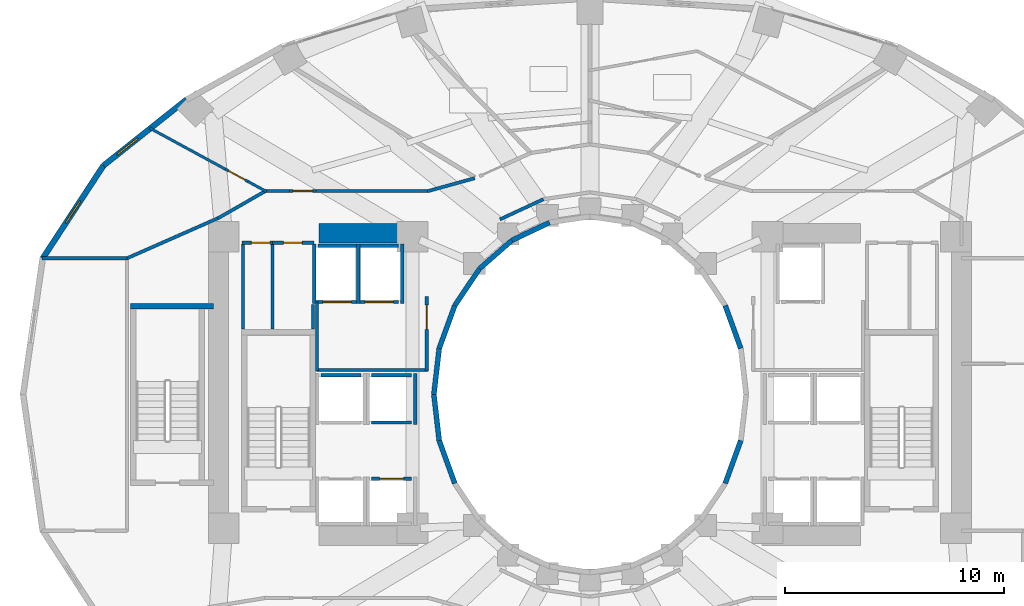
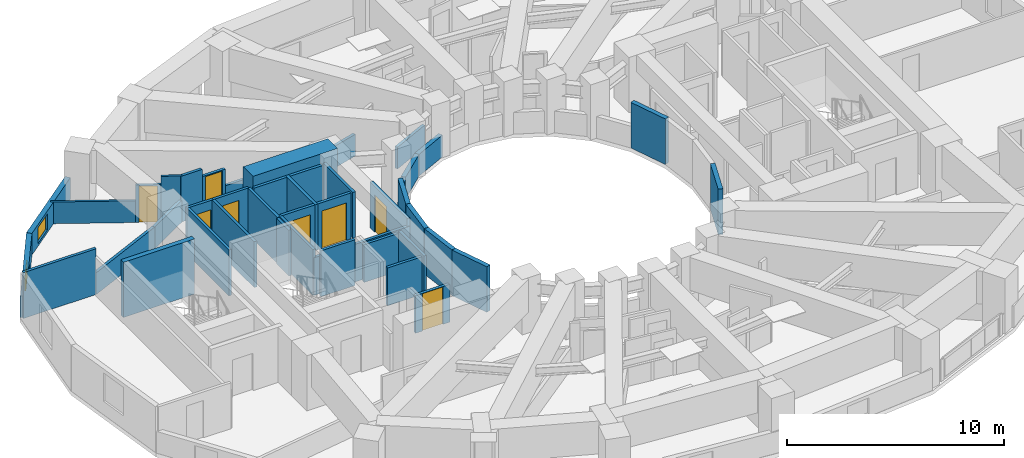
# One storey, part 10 of 16: 44 walls, 8 doors, 2 windows, 10 openings.
"""IFC4 building model written with IfcOpenShell, lengths in metres."""

import ifcopenshell
import ifcopenshell.guid

model = None  # the IFC model being written
_history = None  # IfcOwnerHistory: only IFC2X3 demands one
_inside = {}  # id of a spatial element -> (the spatial element, [elements in it])
_under = {}  # id of a project, library or spatial element -> (it, [spatial elements below it])
_declared = {}  # id of a project -> (the project, [libraries it declares])
_typed = {}  # id of a type object -> (the type object, [elements of that type])
_made_of = {}  # id of a material, layer set ... -> (it, [elements and type objects made of it])


def new_model(schema):
    """Start an empty IFC model of exactly this schema.

    Asked for "IFC4X3", IfcOpenShell would pick the latest addendum, in which some entities
    have other attributes; the version numbers below select the first issue.
    IFC2X3 requires an IfcOwnerHistory on every rooted entity: one is made here for all.
    """
    global model, _history
    if schema == "IFC4X3":
        model = ifcopenshell.file(schema_version=(4, 3, 0, 0))
    else:
        model = ifcopenshell.file(schema=schema)
    _inside.clear()
    _under.clear()
    _declared.clear()
    _typed.clear()
    _made_of.clear()
    _history = None
    if model.schema == "IFC2X3":
        org = make("IfcOrganization", Name="unknown")
        user = make(
            "IfcPersonAndOrganization",
            ThePerson=make("IfcPerson", FamilyName="unknown"),
            TheOrganization=org,
        )
        app = make(
            "IfcApplication",
            ApplicationDeveloper=org,
            Version="unknown",
            ApplicationFullName="unknown",
            ApplicationIdentifier="unknown",
        )
        _history = make(
            "IfcOwnerHistory",
            OwningUser=user,
            OwningApplication=app,
            ChangeAction="ADDED",
            CreationDate=0,
        )
    return model


def make(cls, **values):
    """One entity of the class cls with the attributes given. An attribute that is None is left unset."""
    return model.create_entity(
        cls, **{name: value for name, value in values.items() if value is not None}
    )


def rooted(cls, **values):
    """An entity with a GlobalId (a new one), such as an element, a storey or a relation."""
    return make(cls, GlobalId=ifcopenshell.guid.new(), OwnerHistory=_history, **values)


def si_unit(unit_type, name, prefix=None):
    """IfcSIUnit, for example si_unit("LENGTHUNIT", "METRE", prefix="MILLI")."""
    return make("IfcSIUnit", UnitType=unit_type, Prefix=prefix, Name=name)


def assignment(units):
    """IfcUnitAssignment: the units of a project."""
    return None if units is None else make("IfcUnitAssignment", Units=units)


def point(xyz):
    """IfcCartesianPoint."""
    return None if xyz is None else make("IfcCartesianPoint", Coordinates=xyz)


def direction(xyz):
    """IfcDirection."""
    return None if xyz is None else make("IfcDirection", DirectionRatios=xyz)


def frame(location, z_axis=None, x_axis=None):
    """IfcAxis2Placement3D, a coordinate frame: its origin and axes. An axis left out is left unset."""
    return make(
        "IfcAxis2Placement3D",
        Location=point(location),
        Axis=direction(z_axis),
        RefDirection=direction(x_axis),
    )


def frame_2d(location, x_axis=None):
    """IfcAxis2Placement2D, a coordinate frame in the plane: its origin and x axis."""
    return make(
        "IfcAxis2Placement2D", Location=point(location), RefDirection=direction(x_axis)
    )


def origin():
    """The frame at (0, 0, 0) with its axes left unset."""
    return frame((0.0, 0.0, 0.0))


def place(relative_to, where):
    """IfcLocalPlacement: puts the frame where relative to a parent placement (None: the world)."""
    return make(
        "IfcLocalPlacement", PlacementRelTo=relative_to, RelativePlacement=where
    )


def context(
    kind, dimensions, precision=None, world=None, true_north=None, identifier=None
):
    """IfcGeometricRepresentationContext, for example the 3D "Model" context."""
    return make(
        "IfcGeometricRepresentationContext",
        ContextIdentifier=identifier,
        ContextType=kind,
        CoordinateSpaceDimension=dimensions,
        Precision=precision,
        WorldCoordinateSystem=world,
        TrueNorth=true_north,
    )


def subcontext(parent, identifier, kind, view, scale=None):
    """IfcGeometricRepresentationSubContext, for example "Body" below "Model"."""
    return make(
        "IfcGeometricRepresentationSubContext",
        ContextIdentifier=identifier,
        ContextType=kind,
        ParentContext=parent,
        TargetScale=scale,
        TargetView=view,
    )


def project(units=None, contexts=None):
    """IfcProject with its units and contexts."""
    return rooted(
        "IfcProject",
        Name="project",
        RepresentationContexts=contexts,
        UnitsInContext=assignment(units),
    )


def spatial(cls, under=None, at=None, **own):
    """A site, building, storey or space (cls), placed at a placement, below another one or the project."""
    s = rooted(cls, ObjectPlacement=at, **own)
    if under is not None:
        _under.setdefault(under.id(), (under, []))[1].append(s)
    return s


def profile(cls, at=None, kind="AREA", **sizes):
    """A parametric profile (cls). Its sizes go by their IFC names, for example OverallWidth=200.0."""
    return make(cls, ProfileType=kind, Position=at, **sizes)


def rectangle(**sizes):
    """IfcRectangleProfileDef."""
    return profile("IfcRectangleProfileDef", **sizes)


def extrude(swept, where, along, depth):
    """IfcExtrudedAreaSolid: the profile swept, set in the frame where, extruded along a direction by depth."""
    return make(
        "IfcExtrudedAreaSolid",
        SweptArea=swept,
        Position=where,
        ExtrudedDirection=direction(along),
        Depth=depth,
    )


def shape(context_of_items, identifier, shape_type, items):
    """IfcShapeRepresentation: the items that make up one representation, for example the "Body"."""
    return make(
        "IfcShapeRepresentation",
        ContextOfItems=context_of_items,
        RepresentationIdentifier=identifier,
        RepresentationType=shape_type,
        Items=items,
    )


def material(Name=None, Category=None):
    """IfcMaterial."""
    return make("IfcMaterial", Name=Name, Category=Category)


def layer(
    of_material, thickness, ventilated=None, Name=None, Category=None, Priority=None
):
    """IfcMaterialLayer: one layer of a wall or slab, of a material (None: an air gap)."""
    return make(
        "IfcMaterialLayer",
        Material=of_material,
        LayerThickness=thickness,
        IsVentilated=ventilated,
        Name=Name,
        Category=Category,
        Priority=Priority,
    )


def layer_set(layers, Name=None):
    """IfcMaterialLayerSet."""
    return make("IfcMaterialLayerSet", MaterialLayers=layers, LayerSetName=Name)


def made_of(thing, what):
    """Note that an element or type object is made of a material, layer set ...; save() writes the relation."""
    if what is not None:
        _made_of.setdefault(what.id(), (what, []))[1].append(thing)
    return thing


def type_object(cls, material=None, **own):
    """A type object (cls), such as IfcWallType, which elements share."""
    return made_of(rooted(cls, **own), material)


def element(
    cls,
    number,
    at=None,
    inside=None,
    cuts=None,
    type_object=None,
    material=None,
    context=None,
    identifier="Body",
    shape_type=None,
    held_by="IfcProductDefinitionShape",
    body=None,
    shapes=None,
    **own,
):
    """One element of the class cls, such as IfcWall. Its Tag is "e" and its number.

    at: its placement. inside: the storey or other place that contains it. cuts: it is an
    opening in that element (IfcRelVoidsElement). A single representation is given by context,
    identifier, shape_type and body (its items); several are given by shapes. held_by: the class
    of the entity that holds the representations. save() writes the other relations.
    """
    e = rooted(cls, Tag="e%d" % number, ObjectPlacement=at, **own)
    if body is not None:
        shapes = [shape(context, identifier, shape_type, body)]
    if shapes is not None:
        e.Representation = make(held_by, Representations=shapes)
    if inside is not None:
        _inside.setdefault(inside.id(), (inside, []))[1].append(e)
    if cuts is not None:
        rooted(
            "IfcRelVoidsElement", RelatingBuildingElement=cuts, RelatedOpeningElement=e
        )
    if type_object is not None:
        _typed.setdefault(type_object.id(), (type_object, []))[1].append(e)
    return made_of(e, material)


def fill(opening, filler):
    """IfcRelFillsElement: the door or window that sits in an opening."""
    return rooted(
        "IfcRelFillsElement",
        RelatingOpeningElement=opening,
        RelatedBuildingElement=filler,
    )


def aggregate(whole, parts):
    """IfcRelAggregates: a whole, such as a stair, and the parts it consists of."""
    return rooted("IfcRelAggregates", RelatingObject=whole, RelatedObjects=parts)


def save(model, path):
    """Write the relations noted so far, then the file.

    IfcRelAggregates (storeys below a building ...), IfcRelContainedInSpatialStructure (elements
    in a storey), IfcRelDefinesByType, IfcRelAssociatesMaterial and IfcRelDeclares: one each for
    every whole, place, type object, material and project.
    """
    for whole, parts in _under.values():
        aggregate(whole, parts)
    for where, things in _inside.values():
        rooted(
            "IfcRelContainedInSpatialStructure",
            RelatedElements=things,
            RelatingStructure=where,
        )
    for kind, things in _typed.values():
        rooted("IfcRelDefinesByType", RelatedObjects=things, RelatingType=kind)
    for what, things in _made_of.values():
        rooted("IfcRelAssociatesMaterial", RelatedObjects=things, RelatingMaterial=what)
    for by, libraries in _declared.values():
        rooted("IfcRelDeclares", RelatingContext=by, RelatedDefinitions=libraries)
    model.write(path)


model = new_model("IFC4")

# Units and contexts
model_context = context("Model", 3, precision=1e-05, world=origin(), true_north=direction((0.0, 1.0)))
body_context = subcontext(model_context, "Body", "Model", "MODEL_VIEW")
ifc_project = project(units=[si_unit("LENGTHUNIT", "METRE"), si_unit("AREAUNIT", "SQUARE_METRE"), si_unit("VOLUMEUNIT", "CUBIC_METRE"), si_unit("PLANEANGLEUNIT", "RADIAN"), si_unit("MASSUNIT", "GRAM", prefix="KILO")], contexts=[model_context])

# Site, building, storey
site_placement = place(None, origin())
site = spatial("IfcSite", under=ifc_project, at=site_placement, CompositionType="ELEMENT")
building_placement = place(site_placement, origin())
building = spatial("IfcBuilding", under=site, at=building_placement, Name="Solvane Sanctuary Tower", CompositionType="ELEMENT")
storey_placement = place(building_placement, frame((0.0, 0.0, 61.699951171875)))
storey = spatial("IfcBuildingStorey", under=building, at=storey_placement, Name="L18", CompositionType="ELEMENT", Elevation=61.699951171875)

# Walls
ifc_material_1 = material(Name="Concrete C70/85", Category="concrete")
ifc_layer_1 = layer(ifc_material_1, 0.89990234375, Name="Concrete C70/85")
ifc_layer_set_1 = layer_set([ifc_layer_1], Name="Concrete C70/85")
wall_type_1 = type_object("IfcWallType", Name="Wall W-CORE-900", PredefinedType="SHEAR", material=ifc_layer_set_1)
wall_1_placement = place(storey_placement, frame((19.64990234375, 30.35009765625, 0.0), z_axis=(0.0, 0.0, 1.0), x_axis=(1.0, 0.0, 0.0)))
element("IfcWall", 1, at=wall_1_placement, inside=storey, type_object=wall_type_1, Name="L18 Core Shear Wall WC-N", PredefinedType="SHEAR", context=body_context, shape_type="SweptSolid", body=[
    extrude(rectangle(XDim=4.5, YDim=0.89990234375, at=frame_2d((2.25, 0.0))), origin(), (0.0, 0.0, 1.0), 3.10009765625),
])
ifc_material_2 = material(Name="Acoustic Gypsum Partition Board")
ifc_layer_2 = layer(ifc_material_2, 0.14990234375, Name="Acoustic Gypsum Partition Board")
ifc_layer_set_2 = layer_set([ifc_layer_2], Name="Acoustic Gypsum Partition Board")
wall_type_2 = type_object("IfcWallType", Name="Wall W-CORR-150", PredefinedType="PARTITIONING", material=ifc_layer_set_2)
wall_2_placement = place(storey_placement, frame((19.52001953125, 24.1201171875, 0.0), z_axis=(0.0, 0.0, 1.0), x_axis=(1.0, 0.0, 0.0)))
element("IfcWall", 2, at=wall_2_placement, inside=storey, type_object=wall_type_2, Name="L18 West Firefighting Lobby South Wall", PredefinedType="PARTITIONING", context=body_context, shape_type="SweptSolid", body=[
    extrude(rectangle(XDim=5.080078125, YDim=0.14990234375, at=frame_2d((2.5400390625, 0.0))), origin(), (0.0, 0.0, 1.0), 2.1201171875),
])
wall_3_placement = place(storey_placement, frame((19.550048828125, 24.080078125, 0.0), z_axis=(0.0, 0.0, 1.0), x_axis=(0.0, 1.0, 0.0)))
element("IfcWall", 3, at=wall_3_placement, inside=storey, type_object=wall_type_2, Name="L18 West Firefighting Lobby West Wall", PredefinedType="PARTITIONING", context=body_context, shape_type="SweptSolid", body=[
    extrude(rectangle(XDim=3.199951171875, YDim=0.14990234375, at=frame_2d((1.60009765625, 0.0))), origin(), (0.0, 0.0, 1.0), 2.574951171875),
])

# Wall, opening, door
wall_4_placement = place(storey_placement, frame((24.550048828125, 24.080078125, 0.0), z_axis=(0.0, 0.0, 1.0), x_axis=(0.0, 1.0, 0.0)))
wall_4 = element("IfcWall", 4, at=wall_4_placement, inside=storey, type_object=wall_type_2, Name="L18 West Firefighting Lobby East Wall", PredefinedType="PARTITIONING", context=body_context, shape_type="SweptSolid", body=[
    extrude(rectangle(XDim=3.39990234375, YDim=0.14990234375, at=frame_2d((1.699951171875, 0.0))), origin(), (0.0, 0.0, 1.0), 2.574951171875),
])
opening_1_placement = place(wall_4_placement, frame((1.893798828125, 0.0, 0.0)))
opening_1 = element("IfcOpeningElement", 5, at=opening_1_placement, cuts=wall_4, Name="Opening D-L18-04", PredefinedType="OPENING", context=body_context, shape_type="SweptSolid", body=[
    extrude(rectangle(XDim=1.10009765625, YDim=2.10009765625, at=frame_2d((0.550048828125, 1.050048828125))), frame((0.0, 0.0849609375, 0.0), z_axis=(0.0, -1.0, 0.0), x_axis=(1.0, 0.0, 0.0)), (0.0, 0.0, 1.0), 0.169921875),
])
ifc_material_3 = material(Name="Architectural Stainless Steel 316", Category="steel")
door_type_1 = type_object("IfcDoorType", Name="Door D-FFL", OperationType="NOTDEFINED", PredefinedType="DOOR", material=ifc_material_3)
door_1_placement = place(opening_1_placement, origin())
door_1 = element("IfcDoor", 6, at=door_1_placement, inside=storey, type_object=door_type_1, Name="L18 West Firefighting Lobby Fire Door", OperationType="SINGLE_SWING_LEFT", OverallHeight=2.10009765625, OverallWidth=1.10009765625, PredefinedType="DOOR", context=body_context, shape_type="SweptSolid", body=[
    extrude(rectangle(XDim=1.10009765625, YDim=2.10009765625, at=frame_2d((0.550048828125, 1.050048828125))), frame((0.0, 0.02490234375, 0.0), z_axis=(0.0, -1.0, 0.0), x_axis=(1.0, 0.0, 0.0)), (0.0, 0.0, 1.0), 0.050048828125),
])
fill(opening_1, door_1)

# Walls
wall_5_placement = place(storey_placement, frame((29.87255859375, 31.90576171875, 0.0), z_axis=(0.0, 0.0, 1.0), x_axis=(-0.906943449489, -0.421252393975, 0.0)))
element("IfcWall", 7, at=wall_5_placement, inside=storey, type_object=wall_type_2, Name="L18 Light-Well Corridor Rim Wall N4", PredefinedType="PARTITIONING", context=body_context, shape_type="SweptSolid", body=[
    extrude(rectangle(XDim=2.18603515625, YDim=0.14990234375, at=frame_2d((1.093017578125, 0.0))), origin(), (0.0, 0.0, 1.0), 1.219970703125),
])
wall_6_placement = place(storey_placement, frame((7.013671875, 29.211669921875, 0.0), z_axis=(0.0, 0.0, 1.0), x_axis=(1.0, 0.0, 0.0)))
element("IfcWall", 8, at=wall_6_placement, inside=storey, type_object=wall_type_2, Name="L18 West Shoulder North Wall", PredefinedType="PARTITIONING", context=body_context, shape_type="SweptSolid", body=[
    extrude(rectangle(XDim=3.8662109375, YDim=0.14990234375, at=frame_2d((1.93310546875, 0.0))), origin(), (0.0, 0.0, 1.0), 2.574951171875),
])
wall_7_placement = place(storey_placement, frame((10.843505859375, 29.195556640625, 0.0), z_axis=(0.0, 0.0, 1.0), x_axis=(0.91502756289, 0.403391322604, 0.0)))
element("IfcWall", 9, at=wall_7_placement, inside=storey, type_object=wall_type_2, Name="L18 NW Corner Closer 1", PredefinedType="PARTITIONING", context=body_context, shape_type="SweptSolid", body=[
    extrude(rectangle(XDim=4.63720703125, YDim=0.14990234375, at=frame_2d((2.318603515625, 0.0))), origin(), (0.0, 0.0, 1.0), 1.219970703125),
])
wall_8_placement = place(storey_placement, frame((26.741943359375, 32.86669921875, 0.0), z_axis=(0.0, 0.0, 1.0), x_axis=(-0.963833843713, -0.266503886865, 0.0)))
element("IfcWall", 10, at=wall_8_placement, inside=storey, type_object=wall_type_2, Name="L18 NW Corner Throat Wall", PredefinedType="PARTITIONING", context=body_context, shape_type="SweptSolid", body=[
    extrude(rectangle(XDim=2.231689453125, YDim=0.14990234375, at=frame_2d((1.11572265625, 0.0))), origin(), (0.0, 0.0, 1.0), 1.219970703125),
])
wall_9_placement = place(storey_placement, frame((17.14990234375, 32.280029296875, 0.0), z_axis=(0.0, 0.0, 1.0), x_axis=(1.0, 0.0, 0.0)))
element("IfcWall", 11, at=wall_9_placement, inside=storey, type_object=wall_type_2, Name="L18 NW Corner Corridor Wall", PredefinedType="PARTITIONING", context=body_context, shape_type="SweptSolid", body=[
    extrude(rectangle(XDim=1.14013671875, YDim=0.14990234375, at=frame_2d((0.570068359375, 0.0))), origin(), (0.0, 0.0, 1.0), 2.574951171875),
])

# Wall, opening, door
wall_10_placement = place(storey_placement, frame((18.2900390625, 32.280029296875, 0.0), z_axis=(0.0, 0.0, 1.0), x_axis=(1.0, 0.0, 0.0)))
wall_10 = element("IfcWall", 12, at=wall_10_placement, inside=storey, type_object=wall_type_2, Name="L18 NW Corner Corridor Wall", PredefinedType="PARTITIONING", context=body_context, shape_type="SweptSolid", body=[
    extrude(rectangle(XDim=1.219970703125, YDim=0.14990234375, at=frame_2d((0.60986328125, 0.0))), origin(), (0.0, 0.0, 1.0), 2.16015625),
])
opening_2_placement = place(wall_10_placement, frame((0.159912109375, 0.0, 0.0)))
opening_2 = element("IfcOpeningElement", 13, at=opening_2_placement, cuts=wall_10, Name="Opening D-L18-16", PredefinedType="OPENING", context=body_context, shape_type="SweptSolid", body=[
    extrude(rectangle(XDim=0.89990234375, YDim=2.10009765625, at=frame_2d((0.449951171875, 1.050048828125))), frame((0.0, 0.0849609375, 0.0), z_axis=(0.0, -1.0, 0.0), x_axis=(1.0, 0.0, 0.0)), (0.0, 0.0, 1.0), 0.169921875),
])
ifc_material_4 = material(Name="Engineered Tropical Hardwood", Category="wood")
door_type_2 = type_object("IfcDoorType", Name="Door D-WET-900", OperationType="NOTDEFINED", PredefinedType="DOOR", material=ifc_material_4)
door_2_placement = place(opening_2_placement, origin())
door_2 = element("IfcDoor", 14, at=door_2_placement, inside=storey, type_object=door_type_2, Name="L18 NW Corner Salon Door", OperationType="SINGLE_SWING_LEFT", OverallHeight=2.10009765625, OverallWidth=0.89990234375, PredefinedType="DOOR", context=body_context, shape_type="SweptSolid", body=[
    extrude(rectangle(XDim=0.89990234375, YDim=2.10009765625, at=frame_2d((0.449951171875, 1.050048828125))), frame((0.0, 0.02490234375, 0.0), z_axis=(0.0, -1.0, 0.0), x_axis=(1.0, 0.0, 0.0)), (0.0, 0.0, 1.0), 0.050048828125),
])
fill(opening_2, door_2)

# Walls
wall_11_placement = place(storey_placement, frame((19.510009765625, 32.280029296875, 0.0), z_axis=(0.0, 0.0, 1.0), x_axis=(1.0, 0.0, 0.0)))
element("IfcWall", 15, at=wall_11_placement, inside=storey, type_object=wall_type_2, Name="L18 NW Corner Corridor Wall", PredefinedType="PARTITIONING", context=body_context, shape_type="SweptSolid", body=[
    extrude(rectangle(XDim=5.159912109375, YDim=0.14990234375, at=frame_2d((2.580078125, 0.0))), origin(), (0.0, 0.0, 1.0), 1.219970703125),
])
wall_12_placement = place(storey_placement, frame((17.243408203125, 32.3046875, 0.0), z_axis=(0.0, 0.0, 1.0), x_axis=(-0.867991349648, -0.496579315857, 0.0)))
element("IfcWall", 16, at=wall_12_placement, inside=storey, type_object=wall_type_2, Name="L18 NW Corner Wing Wall", PredefinedType="PARTITIONING", context=body_context, shape_type="SweptSolid", body=[
    extrude(rectangle(XDim=2.56689453125, YDim=0.14990234375, at=frame_2d((1.283447265625, 0.0))), origin(), (0.0, 0.0, 1.0), 1.219970703125),
])

# Wall, opening, window
ifc_material_5 = material(Name="Precast concrete C40/50", Category="concrete")
ifc_layer_3 = layer(ifc_material_5, 0.260009765625, Name="Precast concrete C40/50")
ifc_layer_set_3 = layer_set([ifc_layer_3], Name="Precast concrete C40/50")
wall_type_3 = type_object("IfcWallType", Name="Wall W-EXT-250", PredefinedType="STANDARD", material=ifc_layer_set_3)
wall_13_placement = place(storey_placement, frame((13.595458984375, 36.449951171875, 0.0), z_axis=(0.0, 0.0, 1.0), x_axis=(-0.783123133379, -0.621866672179, 0.0)))
wall_13 = element("IfcWall", 17, at=wall_13_placement, inside=storey, type_object=wall_type_3, Name="L18 Ceramic-Printed Facade Wall 09", PredefinedType="STANDARD", context=body_context, shape_type="SweptSolid", body=[
    extrude(rectangle(XDim=4.838623046875, YDim=0.260009765625, at=frame_2d((2.41943359375, 0.0))), origin(), (0.0, 0.0, 1.0), 1.219970703125),
])
opening_3_placement = place(wall_13_placement, frame((2.84912109375, 0.0, 0.14990234375)))
opening_3 = element("IfcOpeningElement", 18, at=opening_3_placement, cuts=wall_13, Name="Opening WN-OPER-1200", PredefinedType="OPENING", context=body_context, shape_type="SweptSolid", body=[
    extrude(rectangle(XDim=1.199951171875, YDim=0.89990234375, at=frame_2d((0.60009765625, 0.449951171875))), frame((0.0, 0.139892578125, 0.0), z_axis=(0.0, -1.0, 0.0), x_axis=(1.0, 0.0, 0.0)), (0.0, 0.0, 1.0), 0.280029296875),
])
ifc_material_6 = material(Name="Dark Ceramic-Fritted Low-E Glass", Category="glass")
window_type = type_object("IfcWindowType", Name="Window WN-OPER-1200", PartitioningType="SINGLE_PANEL", PredefinedType="WINDOW", material=ifc_material_6)
window_1_placement = place(opening_3_placement, origin())
window_1 = element("IfcWindow", 19, at=window_1_placement, inside=storey, type_object=window_type, Name="L18 Operable Facade Window 09", OverallHeight=0.89990234375, OverallWidth=1.199951171875, PartitioningType="SINGLE_PANEL", PredefinedType="WINDOW", context=body_context, shape_type="SweptSolid", body=[
    extrude(rectangle(XDim=1.199951171875, YDim=0.89990234375, at=frame_2d((0.60009765625, 0.449951171875))), frame((0.0, 0.030029296875, 0.0), z_axis=(0.0, -1.0, 0.0), x_axis=(1.0, 0.0, 0.0)), (0.0, 0.0, 1.0), 0.06005859375),
])
fill(opening_3, window_1)

wall_14_placement = place(storey_placement, frame((9.80615234375, 33.44091796875, 0.0), z_axis=(0.0, 0.0, 1.0), x_axis=(-0.547702757047, -0.836672988642, 0.0)))
wall_14 = element("IfcWall", 20, at=wall_14_placement, inside=storey, type_object=wall_type_3, Name="L18 Ceramic-Printed Facade Wall 10", PredefinedType="STANDARD", context=body_context, shape_type="SweptSolid", body=[
    extrude(rectangle(XDim=5.0625, YDim=0.260009765625, at=frame_2d((2.53125, 0.0))), origin(), (0.0, 0.0, 1.0), 1.219970703125),
])
opening_4_placement = place(wall_14_placement, frame((1.931396484375, 0.0, 0.14990234375)))
opening_4 = element("IfcOpeningElement", 21, at=opening_4_placement, cuts=wall_14, Name="Opening WN-OPER-1200", PredefinedType="OPENING", context=body_context, shape_type="SweptSolid", body=[
    extrude(rectangle(XDim=1.199951171875, YDim=0.89990234375, at=frame_2d((0.60009765625, 0.449951171875))), frame((0.0, 0.139892578125, 0.0), z_axis=(0.0, -1.0, 0.0), x_axis=(1.0, 0.0, 0.0)), (0.0, 0.0, 1.0), 0.280029296875),
])
window_2_placement = place(opening_4_placement, origin())
window_2 = element("IfcWindow", 22, at=window_2_placement, inside=storey, type_object=window_type, Name="L18 Operable Facade Window 10", OverallHeight=0.89990234375, OverallWidth=1.199951171875, PartitioningType="SINGLE_PANEL", PredefinedType="WINDOW", context=body_context, shape_type="SweptSolid", body=[
    extrude(rectangle(XDim=1.199951171875, YDim=0.89990234375, at=frame_2d((0.60009765625, 0.449951171875))), frame((0.0, 0.030029296875, 0.0), z_axis=(0.0, -1.0, 0.0), x_axis=(1.0, 0.0, 0.0)), (0.0, 0.0, 1.0), 0.06005859375),
])
fill(opening_4, window_2)

# Walls
ifc_layer_4 = layer(ifc_material_5, 0.22998046875, Name="Precast concrete C40/50")
ifc_layer_set_4 = layer_set([ifc_layer_4], Name="Precast concrete C40/50")
wall_type_4 = type_object("IfcWallType", Name="Wall W-EXT-SP220", PredefinedType="STANDARD", material=ifc_layer_set_4)
wall_15_placement = place(storey_placement, frame((38.87744140625, 25.1015625, 0.0), z_axis=(0.0, 0.0, 1.0), x_axis=(-0.341423187295, 0.93990968033, 0.0)))
element("IfcWall", 23, at=wall_15_placement, inside=storey, type_object=wall_type_4, Name="L18 Central Light-Well Wall 01", PredefinedType="STANDARD", context=body_context, shape_type="SweptSolid", body=[
    extrude(rectangle(XDim=2.083740234375, YDim=0.22998046875, at=frame_2d((1.0419921875, 0.0))), origin(), (0.0, 0.0, 1.0), 2.56005859375),
])
wall_16_placement = place(storey_placement, frame((30.1572265625, 30.84326171875, 0.0), z_axis=(0.0, 0.0, 1.0), x_axis=(-0.904179699603, -0.427152280606, 0.0)))
element("IfcWall", 24, at=wall_16_placement, inside=storey, type_object=wall_type_4, Name="L18 Central Light-Well Wall 07", PredefinedType="STANDARD", context=body_context, shape_type="SweptSolid", body=[
    extrude(rectangle(XDim=1.899169921875, YDim=0.22998046875, at=frame_2d((0.94970703125, 0.0))), origin(), (0.0, 0.0, 1.0), 1.219970703125),
])
wall_17_placement = place(storey_placement, frame((28.43994140625, 30.031982421875, 0.0), z_axis=(0.0, 0.0, 1.0), x_axis=(-0.752576694707, -0.658504607869, 0.0)))
element("IfcWall", 25, at=wall_17_placement, inside=storey, type_object=wall_type_4, Name="L18 Central Light-Well Wall 08", PredefinedType="STANDARD", context=body_context, shape_type="SweptSolid", body=[
    extrude(rectangle(XDim=1.95947265625, YDim=0.22998046875, at=frame_2d((0.979736328125, 0.0))), origin(), (0.0, 0.0, 1.0), 1.219970703125),
])
wall_18_placement = place(storey_placement, frame((26.96533203125, 28.74169921875, 0.0), z_axis=(0.0, 0.0, 1.0), x_axis=(-0.558197800898, -0.829707909492, 0.0)))
element("IfcWall", 26, at=wall_18_placement, inside=storey, type_object=wall_type_4, Name="L18 Central Light-Well Wall 09", PredefinedType="STANDARD", context=body_context, shape_type="SweptSolid", body=[
    extrude(rectangle(XDim=2.02685546875, YDim=0.22998046875, at=frame_2d((1.013427734375, 0.0))), origin(), (0.0, 0.0, 1.0), 1.219970703125),
])
wall_19_placement = place(storey_placement, frame((25.833984375, 27.06005859375, 0.0), z_axis=(0.0, 0.0, 1.0), x_axis=(-0.341423187295, -0.93990968033, 0.0)))
element("IfcWall", 27, at=wall_19_placement, inside=storey, type_object=wall_type_4, Name="L18 Central Light-Well Wall 10", PredefinedType="STANDARD", context=body_context, shape_type="SweptSolid", body=[
    extrude(rectangle(XDim=2.083740234375, YDim=0.22998046875, at=frame_2d((1.0419921875, 0.0))), origin(), (0.0, 0.0, 1.0), 2.56005859375),
])
for number, where, z_axis, x_axis, name in (
    (28, (25.12255859375, 25.1015625, 0.0), (0.0, 0.0, 1.0), (-0.114711713601, -0.993398823617, 0.0), "L18 Central Light-Well Wall 11"),
    (29, (24.8798828125, 23.0, 0.0), (0.0, 0.0, 1.0), (0.114711713601, -0.993398823617, 0.0), "L18 Central Light-Well Wall 12"),
):
    element("IfcWall", number, at=place(storey_placement, frame(where, z_axis=z_axis, x_axis=x_axis)), inside=storey, type_object=wall_type_4, Name=name, PredefinedType="STANDARD", context=body_context, shape_type="SweptSolid", body=[
        extrude(rectangle(XDim=2.115478515625, YDim=0.22998046875, at=frame_2d((1.0576171875, 0.0))), origin(), (0.0, 0.0, 1.0), 2.56005859375),
    ])
for number, where, z_axis, x_axis, name in (
    (30, (25.12255859375, 20.8984375, 0.0), (0.0, 0.0, 1.0), (0.341423187295, -0.93990968033, 0.0), "L18 Central Light-Well Wall 13"),
    (31, (38.166015625, 18.93994140625, 0.0), (0.0, 0.0, 1.0), (0.341423187295, 0.93990968033, 0.0), "L18 Central Light-Well Wall 22"),
):
    element("IfcWall", number, at=place(storey_placement, frame(where, z_axis=z_axis, x_axis=x_axis)), inside=storey, type_object=wall_type_4, Name=name, PredefinedType="STANDARD", context=body_context, shape_type="SweptSolid", body=[
        extrude(rectangle(XDim=2.083740234375, YDim=0.22998046875, at=frame_2d((1.0419921875, 0.0))), origin(), (0.0, 0.0, 1.0), 2.56005859375),
    ])
ifc_layer_5 = layer(ifc_material_2, 0.1201171875, Name="Acoustic Gypsum Partition Board")
ifc_layer_set_5 = layer_set([ifc_layer_5], Name="Acoustic Gypsum Partition Board")
wall_type_5 = type_object("IfcWallType", Name="Wall W-MOV-100", PredefinedType="MOVABLE", material=ifc_layer_set_5)
wall_20_placement = place(storey_placement, frame((17.243896484375, 32.256103515625, 0.0), z_axis=(0.0, 0.0, 1.0), x_axis=(-0.878580692024, 0.477593935894, 0.0)))
element("IfcWall", 32, at=wall_20_placement, inside=storey, type_object=wall_type_5, Name="L18 NW Corner Suite Partition", PredefinedType="MOVABLE", context=body_context, shape_type="SweptSolid", body=[
    extrude(rectangle(XDim=0.965576171875, YDim=0.1201171875, at=frame_2d((0.48291015625, 0.0))), origin(), (0.0, 0.0, 1.0), 2.574951171875),
])

# Wall, opening, door
wall_21_placement = place(storey_placement, frame((16.3955078125, 32.71728515625, 0.0), z_axis=(0.0, 0.0, 1.0), x_axis=(-0.878540750178, 0.4776674055, 0.0)))
wall_21 = element("IfcWall", 33, at=wall_21_placement, inside=storey, type_object=wall_type_5, Name="L18 NW Corner Suite Partition", PredefinedType="MOVABLE", context=body_context, shape_type="SweptSolid", body=[
    extrude(rectangle(XDim=1.169921875, YDim=0.1201171875, at=frame_2d((0.5849609375, 0.0))), origin(), (0.0, 0.0, 1.0), 2.110107421875),
])
opening_5_placement = place(wall_21_placement, frame((0.159912109375, 0.0, 0.0)))
opening_5 = element("IfcOpeningElement", 34, at=opening_5_placement, cuts=wall_21, Name="Opening D-L18-15", PredefinedType="OPENING", context=body_context, shape_type="SweptSolid", body=[
    extrude(rectangle(XDim=0.85009765625, YDim=2.050048828125, at=frame_2d((0.425048828125, 1.02490234375))), frame((0.0, 0.070068359375, 0.0), z_axis=(0.0, -1.0, 0.0), x_axis=(1.0, 0.0, 0.0)), (0.0, 0.0, 1.0), 0.14013671875),
])
door_type_3 = type_object("IfcDoorType", Name="Door D-RISER", OperationType="NOTDEFINED", PredefinedType="DOOR", material=ifc_material_3)
door_3_placement = place(opening_5_placement, origin())
door_3 = element("IfcDoor", 35, at=door_3_placement, inside=storey, type_object=door_type_3, Name="L18 NW Corner Suite Door", OperationType="SINGLE_SWING_RIGHT", OverallHeight=2.050048828125, OverallWidth=0.85009765625, PredefinedType="DOOR", context=body_context, shape_type="SweptSolid", body=[
    extrude(rectangle(XDim=0.85009765625, YDim=2.050048828125, at=frame_2d((0.425048828125, 1.02490234375))), frame((0.0, 0.02490234375, 0.0), z_axis=(0.0, -1.0, 0.0), x_axis=(1.0, 0.0, 0.0)), (0.0, 0.0, 1.0), 0.050048828125),
])
fill(opening_5, door_3)

# Wall
wall_22_placement = place(storey_placement, frame((15.36767578125, 33.276123046875, 0.0), z_axis=(0.0, 0.0, 1.0), x_axis=(-0.878543913196, 0.477661587932, 0.0)))
element("IfcWall", 36, at=wall_22_placement, inside=storey, type_object=wall_type_5, Name="L18 NW Corner Suite Partition", PredefinedType="MOVABLE", context=body_context, shape_type="SweptSolid", body=[
    extrude(rectangle(XDim=3.923828125, YDim=0.1201171875, at=frame_2d((1.9619140625, 0.0))), origin(), (0.0, 0.0, 1.0), 1.219970703125),
])

# Wall, opening, door
ifc_material_7 = material(Name="Concrete C50/60", Category="concrete")
ifc_layer_6 = layer(ifc_material_7, 0.14990234375, Name="Concrete C50/60")
ifc_layer_set_6 = layer_set([ifc_layer_6], Name="Concrete C50/60")
wall_type_6 = type_object("IfcWallType", Name="Wall W-SHAFT-150", PredefinedType="SOLIDWALL", material=ifc_layer_set_6)
wall_23_placement = place(storey_placement, frame((22.0400390625, 19.159912109375, 0.0), z_axis=(0.0, 0.0, 1.0), x_axis=(1.0, 0.0, 0.0)))
wall_23 = element("IfcWall", 37, at=wall_23_placement, inside=storey, type_object=wall_type_6, Name="L18 PL-2 Lift Shaft Wall F", PredefinedType="SOLIDWALL", context=body_context, shape_type="SweptSolid", body=[
    extrude(rectangle(XDim=1.820068359375, YDim=0.14990234375, at=frame_2d((0.91015625, 0.0))), origin(), (0.0, 0.0, 1.0), 2.1201171875),
])
opening_6_placement = place(wall_23_placement, frame((0.360107421875, 0.0, 0.0)))
opening_6 = element("IfcOpeningElement", 38, at=opening_6_placement, cuts=wall_23, Name="Opening LD-L18-02", PredefinedType="OPENING", context=body_context, shape_type="SweptSolid", body=[
    extrude(rectangle(XDim=1.10009765625, YDim=2.10009765625, at=frame_2d((0.550048828125, 1.050048828125))), frame((0.0, 0.0849609375, 0.0), z_axis=(0.0, -1.0, 0.0), x_axis=(1.0, 0.0, 0.0)), (0.0, 0.0, 1.0), 0.169921875),
])
door_type_4 = type_object("IfcDoorType", Name="Door LD-PASS-1100", OperationType="NOTDEFINED", PredefinedType="DOOR", material=ifc_material_3)
door_4_placement = place(opening_6_placement, origin())
door_4 = element("IfcDoor", 39, at=door_4_placement, inside=storey, type_object=door_type_4, Name="L18 PL-2 Lift Landing Door", OperationType="DOUBLE_DOOR_SLIDING", OverallHeight=2.10009765625, OverallWidth=1.10009765625, PredefinedType="DOOR", context=body_context, shape_type="SweptSolid", body=[
    extrude(rectangle(XDim=1.10009765625, YDim=2.10009765625, at=frame_2d((0.550048828125, 1.050048828125))), frame((0.0, 0.02490234375, 0.0), z_axis=(0.0, -1.0, 0.0), x_axis=(1.0, 0.0, 0.0)), (0.0, 0.0, 1.0), 0.050048828125),
])
fill(opening_6, door_4)

# Walls
wall_24_placement = place(storey_placement, frame((19.739990234375, 23.8798828125, 0.0), z_axis=(0.0, 0.0, 1.0), x_axis=(1.0, 0.0, 0.0)))
element("IfcWall", 40, at=wall_24_placement, inside=storey, type_object=wall_type_6, Name="L18 PM-1 Lift Shaft Wall B", PredefinedType="SOLIDWALL", context=body_context, shape_type="SweptSolid", body=[
    extrude(rectangle(XDim=1.820068359375, YDim=0.14990234375, at=frame_2d((0.91015625, 0.0))), origin(), (0.0, 0.0, 1.0), 2.574951171875),
])
for number, where, z_axis, x_axis, name in (
    (41, (22.0400390625, 21.719970703125, 0.0), (0.0, 0.0, 1.0), (1.0, 0.0, 0.0), "L18 PH-1 Lift Shaft Wall F"),
    (42, (22.0400390625, 23.8798828125, 0.0), (0.0, 0.0, 1.0), (1.0, 0.0, 0.0), "L18 PH-1 Lift Shaft Wall B"),
):
    element("IfcWall", number, at=place(storey_placement, frame(where, z_axis=z_axis, x_axis=x_axis)), inside=storey, type_object=wall_type_6, Name=name, PredefinedType="SOLIDWALL", context=body_context, shape_type="SweptSolid", body=[
        extrude(rectangle(XDim=1.820068359375, YDim=0.14990234375, at=frame_2d((0.91015625, 0.0))), origin(), (0.0, 0.0, 1.0), 2.1201171875),
    ])
wall_25_placement = place(storey_placement, frame((24.030029296875, 21.639892578125, 0.0), z_axis=(0.0, 0.0, 1.0), x_axis=(0.0, 1.0, 0.0)))
element("IfcWall", 43, at=wall_25_placement, inside=storey, type_object=wall_type_6, Name="L18 PH-1 Lift Shaft Wall S2", PredefinedType="SOLIDWALL", context=body_context, shape_type="SweptSolid", body=[
    extrude(rectangle(XDim=2.320068359375, YDim=0.14990234375, at=frame_2d((1.16015625, 0.0))), origin(), (0.0, 0.0, 1.0), 2.1201171875),
])

# Wall, opening, door
wall_26_placement = place(storey_placement, frame((19.590087890625, 27.219970703125, 0.0), z_axis=(0.0, 0.0, 1.0), x_axis=(1.0, 0.0, 0.0)))
wall_26 = element("IfcWall", 44, at=wall_26_placement, inside=storey, type_object=wall_type_6, Name="L18 FFL-1 Lift Shaft Wall F", PredefinedType="SOLIDWALL", context=body_context, shape_type="SweptSolid", body=[
    extrude(rectangle(XDim=1.760009765625, YDim=0.14990234375, at=frame_2d((0.8798828125, 0.0))), origin(), (0.0, 0.0, 1.0), 2.574951171875),
])
opening_7_placement = place(wall_26_placement, frame((0.22998046875, 0.0, 0.0)))
opening_7 = element("IfcOpeningElement", 45, at=opening_7_placement, cuts=wall_26, Name="Opening LD-L18-05", PredefinedType="OPENING", context=body_context, shape_type="SweptSolid", body=[
    extrude(rectangle(XDim=1.300048828125, YDim=2.10009765625, at=frame_2d((0.64990234375, 1.050048828125))), frame((0.0, 0.0849609375, 0.0), z_axis=(0.0, -1.0, 0.0), x_axis=(1.0, 0.0, 0.0)), (0.0, 0.0, 1.0), 0.169921875),
])
door_type_5 = type_object("IfcDoorType", Name="Door LD-FFL-1300", OperationType="NOTDEFINED", PredefinedType="DOOR", material=ifc_material_3)
door_5_placement = place(opening_7_placement, origin())
door_5 = element("IfcDoor", 46, at=door_5_placement, inside=storey, type_object=door_type_5, Name="L18 FFL-1 Lift Landing Door", OperationType="DOUBLE_DOOR_SLIDING", OverallHeight=2.10009765625, OverallWidth=1.300048828125, PredefinedType="DOOR", context=body_context, shape_type="SweptSolid", body=[
    extrude(rectangle(XDim=1.300048828125, YDim=2.10009765625, at=frame_2d((0.64990234375, 1.050048828125))), frame((0.0, 0.02490234375, 0.0), z_axis=(0.0, -1.0, 0.0), x_axis=(1.0, 0.0, 0.0)), (0.0, 0.0, 1.0), 0.050048828125),
])
fill(opening_7, door_5)

# Walls
wall_27_placement = place(storey_placement, frame((19.590087890625, 29.780029296875, 0.0), z_axis=(0.0, 0.0, 1.0), x_axis=(1.0, 0.0, 0.0)))
element("IfcWall", 47, at=wall_27_placement, inside=storey, type_object=wall_type_6, Name="L18 FFL-1 Lift Shaft Wall B", PredefinedType="SOLIDWALL", context=body_context, shape_type="SweptSolid", body=[
    extrude(rectangle(XDim=1.760009765625, YDim=0.14990234375, at=frame_2d((0.8798828125, 0.0))), origin(), (0.0, 0.0, 1.0), 2.574951171875),
])
for number, where, z_axis, x_axis, name in (
    (48, (19.419921875, 27.139892578125, 0.0), (0.0, 0.0, 1.0), (0.0, 1.0, 0.0), "L18 FFL-1 Lift Shaft Wall S1"),
    (49, (21.425048828125, 27.139892578125, 0.0), (0.0, 0.0, 1.0), (0.0, 1.0, 0.0), "L18 FFL-1 Lift Shaft Wall S2"),
):
    element("IfcWall", number, at=place(storey_placement, frame(where, z_axis=z_axis, x_axis=x_axis)), inside=storey, type_object=wall_type_6, Name=name, PredefinedType="SOLIDWALL", context=body_context, shape_type="SweptSolid", body=[
        extrude(rectangle(XDim=2.72021484375, YDim=0.14990234375, at=frame_2d((1.360107421875, 0.0))), origin(), (0.0, 0.0, 1.0), 2.574951171875),
    ])

# Wall, opening, door
wall_28_placement = place(storey_placement, frame((21.5, 27.219970703125, 0.0), z_axis=(0.0, 0.0, 1.0), x_axis=(1.0, 0.0, 0.0)))
wall_28 = element("IfcWall", 50, at=wall_28_placement, inside=storey, type_object=wall_type_6, Name="L18 SVL-1 Lift Shaft Wall F", PredefinedType="SOLIDWALL", context=body_context, shape_type="SweptSolid", body=[
    extrude(rectangle(XDim=1.760009765625, YDim=0.14990234375, at=frame_2d((0.8798828125, 0.0))), origin(), (0.0, 0.0, 1.0), 2.574951171875),
])
opening_8_placement = place(wall_28_placement, frame((0.22998046875, 0.0, 0.0)))
opening_8 = element("IfcOpeningElement", 51, at=opening_8_placement, cuts=wall_28, Name="Opening LD-L18-06", PredefinedType="OPENING", context=body_context, shape_type="SweptSolid", body=[
    extrude(rectangle(XDim=1.300048828125, YDim=2.10009765625, at=frame_2d((0.64990234375, 1.050048828125))), frame((0.0, 0.0849609375, 0.0), z_axis=(0.0, -1.0, 0.0), x_axis=(1.0, 0.0, 0.0)), (0.0, 0.0, 1.0), 0.169921875),
])
door_6_placement = place(opening_8_placement, origin())
door_6 = element("IfcDoor", 52, at=door_6_placement, inside=storey, type_object=door_type_5, Name="L18 SVL-1 Lift Landing Door", OperationType="DOUBLE_DOOR_SLIDING", OverallHeight=2.10009765625, OverallWidth=1.300048828125, PredefinedType="DOOR", context=body_context, shape_type="SweptSolid", body=[
    extrude(rectangle(XDim=1.300048828125, YDim=2.10009765625, at=frame_2d((0.64990234375, 1.050048828125))), frame((0.0, 0.02490234375, 0.0), z_axis=(0.0, -1.0, 0.0), x_axis=(1.0, 0.0, 0.0)), (0.0, 0.0, 1.0), 0.050048828125),
])
fill(opening_8, door_6)

# Walls
wall_29_placement = place(storey_placement, frame((21.5, 29.780029296875, 0.0), z_axis=(0.0, 0.0, 1.0), x_axis=(1.0, 0.0, 0.0)))
element("IfcWall", 53, at=wall_29_placement, inside=storey, type_object=wall_type_6, Name="L18 SVL-1 Lift Shaft Wall B", PredefinedType="SOLIDWALL", context=body_context, shape_type="SweptSolid", body=[
    extrude(rectangle(XDim=1.760009765625, YDim=0.14990234375, at=frame_2d((0.8798828125, 0.0))), origin(), (0.0, 0.0, 1.0), 2.574951171875),
])
wall_30_placement = place(storey_placement, frame((23.429931640625, 27.139892578125, 0.0), z_axis=(0.0, 0.0, 1.0), x_axis=(0.0, 1.0, 0.0)))
element("IfcWall", 54, at=wall_30_placement, inside=storey, type_object=wall_type_6, Name="L18 SVL-1 Lift Shaft Wall S2", PredefinedType="SOLIDWALL", context=body_context, shape_type="SweptSolid", body=[
    extrude(rectangle(XDim=2.72021484375, YDim=0.14990234375, at=frame_2d((1.360107421875, 0.0))), origin(), (0.0, 0.0, 1.0), 2.574951171875),
])
ifc_layer_7 = layer(ifc_material_7, 0.25, Name="Concrete C50/60")
ifc_layer_set_7 = layer_set([ifc_layer_7], Name="Concrete C50/60")
wall_type_7 = type_object("IfcWallType", Name="Wall W-SHAFT-250", PredefinedType="SOLIDWALL", material=ifc_layer_set_7)
wall_31_placement = place(storey_placement, frame((11.044921875, 27.030029296875, 0.0), z_axis=(0.0, 0.0, 1.0), x_axis=(1.0, 0.0, 0.0)))
element("IfcWall", 55, at=wall_31_placement, inside=storey, type_object=wall_type_7, Name="L18 ST-3 Load-Bearing Shaft Wall N", PredefinedType="SOLIDWALL", context=body_context, shape_type="SweptSolid", body=[
    extrude(rectangle(XDim=3.781982421875, YDim=0.25, at=frame_2d((1.89111328125, 0.0))), origin(), (0.0, 0.0, 1.0), 3.10009765625),
])

# Wall, opening, door
ifc_layer_8 = layer(ifc_material_2, 0.139892578125, Name="Acoustic Gypsum Partition Board")
ifc_layer_set_8 = layer_set([ifc_layer_8], Name="Acoustic Gypsum Partition Board")
wall_type_8 = type_object("IfcWallType", Name="Wall W-WET-140", PredefinedType="PLUMBINGWALL", material=ifc_layer_set_8)
wall_32_placement = place(storey_placement, frame((16.1201171875, 29.919921875, 0.0), z_axis=(0.0, 0.0, 1.0), x_axis=(1.0, 0.0, 0.0)))
wall_32 = element("IfcWall", 56, at=wall_32_placement, inside=storey, type_object=wall_type_8, Name="L18 Core Service Front Wall KW1", PredefinedType="PLUMBINGWALL", context=body_context, shape_type="SweptSolid", body=[
    extrude(rectangle(XDim=1.39990234375, YDim=0.139892578125, at=frame_2d((0.699951171875, 0.0))), origin(), (0.0, 0.0, 1.0), 2.574951171875),
])
opening_9_placement = place(wall_32_placement, frame((0.429931640625, 0.0, 0.0)))
opening_9 = element("IfcOpeningElement", 57, at=opening_9_placement, cuts=wall_32, Name="Opening D-L18-06", PredefinedType="OPENING", context=body_context, shape_type="SweptSolid", body=[
    extrude(rectangle(XDim=0.85009765625, YDim=2.050048828125, at=frame_2d((0.425048828125, 1.02490234375))), frame((0.0, 0.079833984375, 0.0), z_axis=(0.0, -1.0, 0.0), x_axis=(1.0, 0.0, 0.0)), (0.0, 0.0, 1.0), 0.159912109375),
])
door_7_placement = place(opening_9_placement, origin())
door_7 = element("IfcDoor", 58, at=door_7_placement, inside=storey, type_object=door_type_3, Name="L18 Core Service Room Door KW1-1", OperationType="SINGLE_SWING_LEFT", OverallHeight=2.050048828125, OverallWidth=0.85009765625, PredefinedType="DOOR", context=body_context, shape_type="SweptSolid", body=[
    extrude(rectangle(XDim=0.85009765625, YDim=2.050048828125, at=frame_2d((0.425048828125, 1.02490234375))), frame((0.0, 0.02490234375, 0.0), z_axis=(0.0, -1.0, 0.0), x_axis=(1.0, 0.0, 0.0)), (0.0, 0.0, 1.0), 0.050048828125),
])
fill(opening_9, door_7)

# Walls
for number, where, z_axis, x_axis, name in (
    (59, (16.179931640625, 25.97998046875, 0.0), (0.0, 0.0, 1.0), (0.0, 1.0, 0.0), "L18 Core Service Side Wall KW1-1"),
    (60, (17.52001953125, 25.97998046875, 0.0), (0.0, 0.0, 1.0), (0.0, 1.0, 0.0), "L18 Core Service Side Wall KW1-2"),
):
    element("IfcWall", number, at=place(storey_placement, frame(where, z_axis=z_axis, x_axis=x_axis)), inside=storey, type_object=wall_type_8, Name=name, PredefinedType="PLUMBINGWALL", context=body_context, shape_type="SweptSolid", body=[
        extrude(rectangle(XDim=3.880126953125, YDim=0.139892578125, at=frame_2d((1.93994140625, 0.0))), origin(), (0.0, 0.0, 1.0), 2.574951171875),
    ])

# Wall, opening, door
wall_33_placement = place(storey_placement, frame((17.52001953125, 29.919921875, 0.0), z_axis=(0.0, 0.0, 1.0), x_axis=(1.0, 0.0, 0.0)))
wall_33 = element("IfcWall", 61, at=wall_33_placement, inside=storey, type_object=wall_type_8, Name="L18 Core Service Front Wall KW2", PredefinedType="PLUMBINGWALL", context=body_context, shape_type="SweptSolid", body=[
    extrude(rectangle(XDim=1.89990234375, YDim=0.139892578125, at=frame_2d((0.949951171875, 0.0))), origin(), (0.0, 0.0, 1.0), 2.574951171875),
])
opening_10_placement = place(wall_33_placement, frame((0.5, 0.0, 0.0)))
opening_10 = element("IfcOpeningElement", 62, at=opening_10_placement, cuts=wall_33, Name="Opening D-L18-07", PredefinedType="OPENING", context=body_context, shape_type="SweptSolid", body=[
    extrude(rectangle(XDim=0.85009765625, YDim=2.050048828125, at=frame_2d((0.425048828125, 1.02490234375))), frame((0.0, 0.079833984375, 0.0), z_axis=(0.0, -1.0, 0.0), x_axis=(1.0, 0.0, 0.0)), (0.0, 0.0, 1.0), 0.159912109375),
])
door_8_placement = place(opening_10_placement, origin())
door_8 = element("IfcDoor", 63, at=door_8_placement, inside=storey, type_object=door_type_3, Name="L18 Core Service Room Door KW2-1", OperationType="SINGLE_SWING_RIGHT", OverallHeight=2.050048828125, OverallWidth=0.85009765625, PredefinedType="DOOR", context=body_context, shape_type="SweptSolid", body=[
    extrude(rectangle(XDim=0.85009765625, YDim=2.050048828125, at=frame_2d((0.425048828125, 1.02490234375))), frame((0.0, 0.02490234375, 0.0), z_axis=(0.0, -1.0, 0.0), x_axis=(1.0, 0.0, 0.0)), (0.0, 0.0, 1.0), 0.050048828125),
])
fill(opening_10, door_8)

# Wall
wall_34_placement = place(storey_placement, frame((19.360107421875, 25.97998046875, 0.0), z_axis=(0.0, 0.0, 1.0), x_axis=(0.0, 1.0, 0.0)))
element("IfcWall", 64, at=wall_34_placement, inside=storey, type_object=wall_type_8, Name="L18 Core Service Side Wall KW2-1", PredefinedType="PLUMBINGWALL", context=body_context, shape_type="SweptSolid", body=[
    extrude(rectangle(XDim=1.1201171875, YDim=0.139892578125, at=frame_2d((0.56005859375, 0.0))), origin(), (0.0, 0.0, 1.0), 2.574951171875),
])

save(model, "model.ifc")
